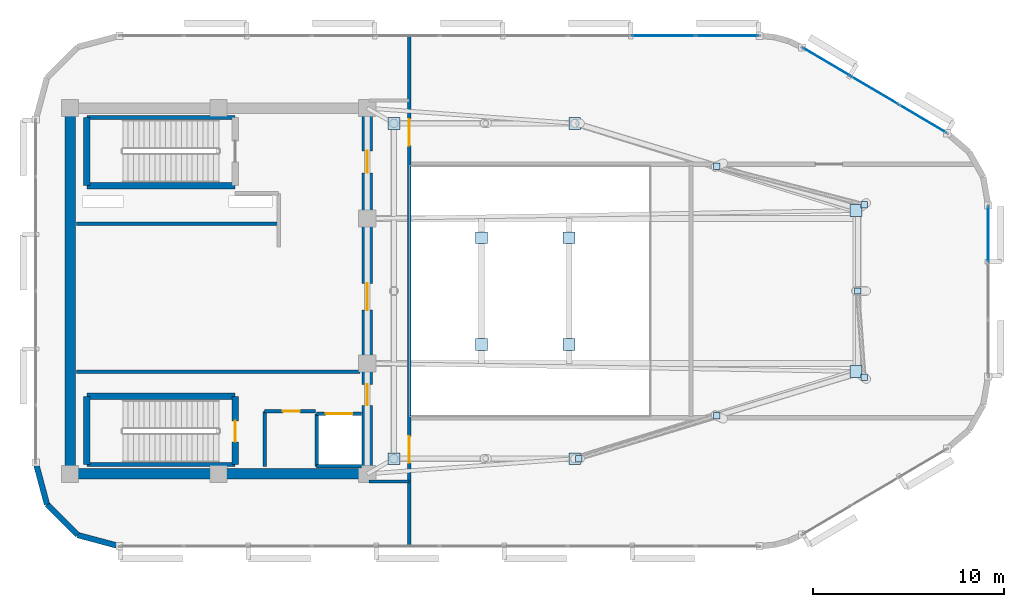
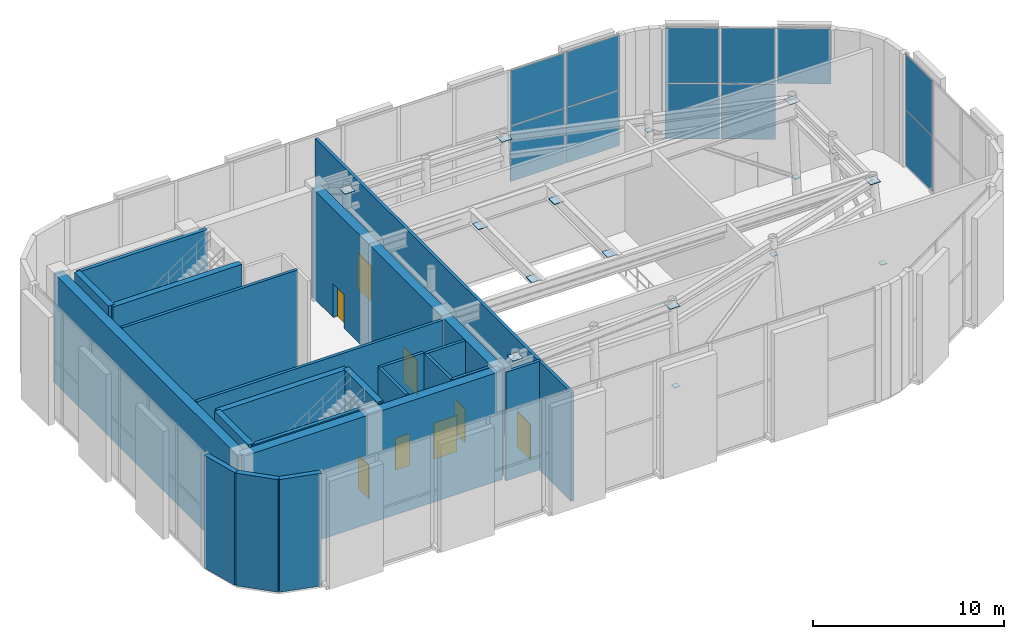
# One storey, part 17 of 20: 27 plates, 22 walls, 8 doors, 8 openings, 3 elements without a shape of their own.
"""IFC4 building model written with IfcOpenShell, lengths in metres."""

from ifc_helpers import new_model, si_unit, direction, frame, frame_2d, origin, origin_2d, place, context, subcontext, project, spatial, rectangle, extrude, material, layer, layer_set, type_object, element, fill, aggregate, save


model = new_model("IFC4")

# Units and contexts
model_context = context("Model", 3, precision=1e-05, world=origin(), true_north=direction((0.0, 1.0)))
body_context = subcontext(model_context, "Body", "Model", "MODEL_VIEW")
ifc_project = project(units=[si_unit("LENGTHUNIT", "METRE"), si_unit("AREAUNIT", "SQUARE_METRE"), si_unit("VOLUMEUNIT", "CUBIC_METRE"), si_unit("PLANEANGLEUNIT", "RADIAN"), si_unit("MASSUNIT", "GRAM", prefix="KILO")], contexts=[model_context])

# Site, building, storey
site_placement = place(None, origin())
site = spatial("IfcSite", under=ifc_project, at=site_placement, CompositionType="ELEMENT")
building_placement = place(site_placement, origin())
building = spatial("IfcBuilding", under=site, at=building_placement, Name="An Khanh Terracotta Commons", CompositionType="ELEMENT")
storey_placement = place(building_placement, frame((0.0, 0.0, 308.0)))
storey = spatial("IfcBuildingStorey", under=building, at=storey_placement, Name="L79 Crown Damper Gallery", CompositionType="ELEMENT", Elevation=308.0)

# Plates
ifc_material_1 = material(Name="Steel S460ML", Category="steel")
ifc_layer_1 = layer(ifc_material_1, 0.030029296875, Name="Steel S460ML")
ifc_layer_set_1 = layer_set([ifc_layer_1], Name="Steel S460ML")
plate_type_1 = type_object("IfcPlateType", Name="CROWN-CAP-PL", PredefinedType="USERDEFINED", material=ifc_layer_set_1)
for number, where, z_axis, x_axis, name in (
    (1, (48.30810546875, 15.199951171875, 1.4580078125), (0.0, 0.0, 1.0), (1.0, 0.0, 0.0), "L79 Crown Damper Gallery CROWN FRAME Brace End-Cap Plate 2A"),
    (2, (55.535888671875, 17.4580078125, 5.94677734375), (0.0, 0.0, 1.0), (1.0, 0.0, 0.0), "L79 Crown Damper Gallery CROWN FRAME Brace End-Cap Plate 2B"),
    (3, (63.279052734375, 19.468017578125, 1.4580078125), (0.0, 0.0, 1.0), (1.0, 0.0, 0.0), "L79 Crown Damper Gallery CROWN FRAME Brace End-Cap Plate 3A"),
    (4, (62.93798828125, 24.0, 5.94677734375), (0.0, 0.0, 1.0), (1.0, 0.0, 0.0), "L79 Crown Damper Gallery CROWN FRAME Brace End-Cap Plate 3B"),
    (5, (63.279052734375, 28.531982421875, 1.4580078125), (0.0, 0.0, 1.0), (1.0, 0.0, 0.0), "L79 Crown Damper Gallery CROWN FRAME Brace End-Cap Plate 4A"),
    (6, (55.535888671875, 30.5419921875, 5.94677734375), (0.0, 0.0, 1.0), (1.0, 0.0, 0.0), "L79 Crown Damper Gallery CROWN FRAME Brace End-Cap Plate 4B"),
):
    element("IfcPlate", number, at=place(storey_placement, frame(where, z_axis=z_axis, x_axis=x_axis)), inside=storey, type_object=plate_type_1, Name=name, ObjectType="FLANGE_PLATE", PredefinedType="USERDEFINED", context=body_context, shape_type="SweptSolid", body=[
        extrude(rectangle(XDim=0.340087890625, YDim=0.340087890625, at=origin_2d()), origin(), (0.0, 0.0, 1.0), 0.030029296875),
    ])

# Curtain wall, plates
ifc_material_2 = material(Name="Anodised Aluminium 6063-T6", Category="aluminium")
ifc_layer_2 = layer(ifc_material_2, 0.25, Name="Anodised Aluminium 6063-T6")
ifc_layer_set_2 = layer_set([ifc_layer_2], Name="Anodised Aluminium 6063-T6")
curtain_wall_type = type_object("IfcCurtainWallType", Name="CW-SYS-05", PredefinedType="USERDEFINED", material=ifc_layer_set_2)
curtain_wall_1_placement = place(storey_placement, origin())
curtain_wall_1 = element("IfcCurtainWall", 7, at=curtain_wall_1_placement, inside=storey, type_object=curtain_wall_type, Name="L79 Crown Damper Gallery CW-05 Unitised Curtain Wall CW-L79-12", ObjectType="UNITISED CURTAIN WALL", PredefinedType="USERDEFINED")
ifc_material_3 = material(Name="Translucent Backlit Opal Insulated Glass", Category="glass")
ifc_layer_3 = layer(ifc_material_3, 0.0439453125, Name="Translucent Backlit Opal Insulated Glass")
ifc_layer_set_3 = layer_set([ifc_layer_3], Name="Translucent Backlit Opal Insulated Glass")
plate_type_2 = type_object("IfcPlateType", Name="CWP-OPAL-44", PredefinedType="CURTAIN_PANEL", material=ifc_layer_set_3)
plate_1_placement = place(storey_placement, frame((69.800048828125, 26.975341796875, 0.06005859375), z_axis=(0.0, 0.0, 1.0), x_axis=(0.0, 1.0, 0.0)))
plate_1 = element("IfcPlate", 8, at=plate_1_placement, type_object=plate_type_2, Name="CW-05 panel 3.1", PredefinedType="CURTAIN_PANEL", context=body_context, shape_type="SweptSolid", body=[
    extrude(rectangle(XDim=2.875244140625, YDim=0.0439453125, at=origin_2d()), origin(), (0.0, 0.0, 1.0), 3.510009765625),
])
plate_2_placement = place(storey_placement, frame((69.800048828125, 26.975341796875, 3.6298828125), z_axis=(0.0, 0.0, 1.0), x_axis=(0.0, 1.0, 0.0)))
plate_2 = element("IfcPlate", 9, at=plate_2_placement, type_object=plate_type_2, Name="CW-05 panel 3.2", PredefinedType="CURTAIN_PANEL", context=body_context, shape_type="SweptSolid", body=[
    extrude(rectangle(XDim=2.875244140625, YDim=0.0439453125, at=origin_2d()), origin(), (0.0, 0.0, 1.0), 3.510009765625),
])
aggregate(curtain_wall_1, [plate_1, plate_2])

curtain_wall_2_placement = place(storey_placement, origin())
curtain_wall_2 = element("IfcCurtainWall", 10, at=curtain_wall_2_placement, inside=storey, type_object=curtain_wall_type, Name="L79 Crown Damper Gallery CW-05 Unitised Curtain Wall CW-L79-16", ObjectType="UNITISED CURTAIN WALL", PredefinedType="USERDEFINED")
plate_3_placement = place(storey_placement, frame((66.358154296875, 33.039306640625, 3.6298828125), z_axis=(0.0, 0.0, 1.0), x_axis=(-0.860304394443, 0.509780687063, 0.0)))
plate_3 = element("IfcPlate", 11, at=plate_3_placement, type_object=plate_type_2, Name="CW-05 panel 1.2", PredefinedType="CURTAIN_PANEL", context=body_context, shape_type="SweptSolid", body=[
    extrude(rectangle(XDim=2.826904296875, YDim=0.0439453125, at=origin_2d()), origin(), (0.0, 0.0, 1.0), 3.510009765625),
])
plate_4_placement = place(storey_placement, frame((63.840087890625, 34.531494140625, 0.06005859375), z_axis=(0.0, 0.0, 1.0), x_axis=(-0.860304394443, 0.509780687063, 0.0)))
plate_4 = element("IfcPlate", 12, at=plate_4_placement, type_object=plate_type_2, Name="CW-05 panel 2.1", PredefinedType="CURTAIN_PANEL", context=body_context, shape_type="SweptSolid", body=[
    extrude(rectangle(XDim=2.866943359375, YDim=0.0439453125, at=origin_2d()), origin(), (0.0, 0.0, 1.0), 3.510009765625),
])
plate_5_placement = place(storey_placement, frame((63.840087890625, 34.531494140625, 3.6298828125), z_axis=(0.0, 0.0, 1.0), x_axis=(-0.860304394443, 0.509780687063, 0.0)))
plate_5 = element("IfcPlate", 13, at=plate_5_placement, type_object=plate_type_2, Name="CW-05 panel 2.2", PredefinedType="CURTAIN_PANEL", context=body_context, shape_type="SweptSolid", body=[
    extrude(rectangle(XDim=2.866943359375, YDim=0.0439453125, at=origin_2d()), origin(), (0.0, 0.0, 1.0), 3.510009765625),
])
plate_6_placement = place(storey_placement, frame((61.32177734375, 36.023681640625, 0.06005859375), z_axis=(0.0, 0.0, 1.0), x_axis=(-0.860304394443, 0.509780687063, 0.0)))
plate_6 = element("IfcPlate", 14, at=plate_6_placement, type_object=plate_type_2, Name="CW-05 panel 3.1", PredefinedType="CURTAIN_PANEL", context=body_context, shape_type="SweptSolid", body=[
    extrude(rectangle(XDim=2.826904296875, YDim=0.0439453125, at=origin_2d()), origin(), (0.0, 0.0, 1.0), 3.510009765625),
])
plate_7_placement = place(storey_placement, frame((61.32177734375, 36.023681640625, 3.6298828125), z_axis=(0.0, 0.0, 1.0), x_axis=(-0.860304394443, 0.509780687063, 0.0)))
plate_7 = element("IfcPlate", 15, at=plate_7_placement, type_object=plate_type_2, Name="CW-05 panel 3.2", PredefinedType="CURTAIN_PANEL", context=body_context, shape_type="SweptSolid", body=[
    extrude(rectangle(XDim=2.826904296875, YDim=0.0439453125, at=origin_2d()), origin(), (0.0, 0.0, 1.0), 3.510009765625),
])
aggregate(curtain_wall_2, [plate_3, plate_4, plate_5, plate_6, plate_7])

curtain_wall_3_placement = place(storey_placement, origin())
curtain_wall_3 = element("IfcCurtainWall", 16, at=curtain_wall_3_placement, inside=storey, type_object=curtain_wall_type, Name="L79 Crown Damper Gallery CW-05 Unitised Curtain Wall CW-L79-20", ObjectType="UNITISED CURTAIN WALL", PredefinedType="USERDEFINED")
plate_8_placement = place(storey_placement, frame((56.09423828125, 37.39990234375, 0.06005859375), z_axis=(0.0, 0.0, 1.0), x_axis=(-1.0, 0.0, 0.0)))
plate_8 = element("IfcPlate", 17, at=plate_8_placement, type_object=plate_type_2, Name="CW-05 panel 1.1", PredefinedType="CURTAIN_PANEL", context=body_context, shape_type="SweptSolid", body=[
    extrude(rectangle(XDim=3.239501953125, YDim=0.0439453125, at=origin_2d()), origin(), (0.0, 0.0, 1.0), 3.510009765625),
])
plate_9_placement = place(storey_placement, frame((56.09423828125, 37.39990234375, 3.6298828125), z_axis=(0.0, 0.0, 1.0), x_axis=(-1.0, 0.0, 0.0)))
plate_9 = element("IfcPlate", 18, at=plate_9_placement, type_object=plate_type_2, Name="CW-05 panel 1.2", PredefinedType="CURTAIN_PANEL", context=body_context, shape_type="SweptSolid", body=[
    extrude(rectangle(XDim=3.239501953125, YDim=0.0439453125, at=origin_2d()), origin(), (0.0, 0.0, 1.0), 3.510009765625),
])
plate_10_placement = place(storey_placement, frame((52.7548828125, 37.39990234375, 0.06005859375), z_axis=(0.0, 0.0, 1.0), x_axis=(-1.0, 0.0, 0.0)))
plate_10 = element("IfcPlate", 19, at=plate_10_placement, type_object=plate_type_2, Name="CW-05 panel 2.1", PredefinedType="CURTAIN_PANEL", context=body_context, shape_type="SweptSolid", body=[
    extrude(rectangle(XDim=3.279296875, YDim=0.0439453125, at=origin_2d()), origin(), (0.0, 0.0, 1.0), 3.510009765625),
])
plate_11_placement = place(storey_placement, frame((52.7548828125, 37.39990234375, 3.6298828125), z_axis=(0.0, 0.0, 1.0), x_axis=(-1.0, 0.0, 0.0)))
plate_11 = element("IfcPlate", 20, at=plate_11_placement, type_object=plate_type_2, Name="CW-05 panel 2.2", PredefinedType="CURTAIN_PANEL", context=body_context, shape_type="SweptSolid", body=[
    extrude(rectangle(XDim=3.279296875, YDim=0.0439453125, at=origin_2d()), origin(), (0.0, 0.0, 1.0), 3.510009765625),
])
aggregate(curtain_wall_3, [plate_8, plate_9, plate_10, plate_11])

# Plates
ifc_layer_4 = layer(ifc_material_1, 0.02490234375, Name="Steel S460ML")
ifc_layer_set_4 = layer_set([ifc_layer_4], Name="Steel S460ML")
plate_type_3 = type_object("IfcPlateType", Name="PLATE-GUSSET-25", PredefinedType="USERDEFINED", material=ifc_layer_set_4)
for number, where, z_axis, x_axis, name in (
    (21, (38.60009765625, 15.199951171875, 6.6875), (0.0, 0.0, 1.0), (1.0, 0.0, 0.0), "L79 Crown Damper Gallery CROWN FRAME Node End-Cap Plate 1"),
    (22, (48.090087890625, 15.199951171875, 6.6875), (0.0, 0.0, 1.0), (1.0, 0.0, 0.0), "L79 Crown Damper Gallery CROWN FRAME Node End-Cap Plate 2"),
    (23, (62.85009765625, 19.780029296875, 6.6875), (0.0, 0.0, 1.0), (1.0, 0.0, 0.0), "L79 Crown Damper Gallery CROWN FRAME Node End-Cap Plate 3"),
    (24, (62.85009765625, 28.219970703125, 6.6875), (0.0, 0.0, 1.0), (1.0, 0.0, 0.0), "L79 Crown Damper Gallery CROWN FRAME Node End-Cap Plate 4"),
    (25, (48.090087890625, 32.800048828125, 6.6875), (0.0, 0.0, 1.0), (1.0, 0.0, 0.0), "L79 Crown Damper Gallery CROWN FRAME Node End-Cap Plate 5"),
    (26, (38.60009765625, 32.800048828125, 6.6875), (0.0, 0.0, 1.0), (1.0, 0.0, 0.0), "L79 Crown Damper Gallery CROWN FRAME Node End-Cap Plate 6"),
):
    element("IfcPlate", number, at=place(storey_placement, frame(where, z_axis=z_axis, x_axis=x_axis)), inside=storey, type_object=plate_type_3, Name=name, ObjectType="FLANGE_PLATE", PredefinedType="USERDEFINED", context=body_context, shape_type="SweptSolid", body=[
        extrude(rectangle(XDim=0.6201171875, YDim=0.6201171875, at=origin_2d()), origin(), (0.0, 0.0, 1.0), 0.02490234375),
    ])
ifc_layer_5 = layer(ifc_material_1, 0.0400390625, Name="Steel S460ML")
ifc_layer_set_5 = layer_set([ifc_layer_5], Name="Steel S460ML")
plate_type_4 = type_object("IfcPlateType", Name="PLATE-GUSSET-40", PredefinedType="USERDEFINED", material=ifc_layer_set_5)
for number, where, z_axis, x_axis, name in (
    (27, (43.199951171875, 21.199951171875, 6.445068359375), (0.0, 0.0, 1.0), (1.0, 0.0, 0.0), "Pendulum Tuned Mass Damper Hanger Top End-Cap Plate 1"),
    (28, (47.800048828125, 21.199951171875, 6.445068359375), (0.0, 0.0, 1.0), (1.0, 0.0, 0.0), "Pendulum Tuned Mass Damper Hanger Top End-Cap Plate 2"),
    (29, (47.800048828125, 26.800048828125, 6.445068359375), (0.0, 0.0, 1.0), (1.0, 0.0, 0.0), "Pendulum Tuned Mass Damper Hanger Top End-Cap Plate 3"),
    (30, (43.199951171875, 26.800048828125, 6.445068359375), (0.0, 0.0, 1.0), (1.0, 0.0, 0.0), "Pendulum Tuned Mass Damper Hanger Top End-Cap Plate 4"),
):
    element("IfcPlate", number, at=place(storey_placement, frame(where, z_axis=z_axis, x_axis=x_axis)), inside=storey, type_object=plate_type_4, Name=name, ObjectType="FLANGE_PLATE", PredefinedType="USERDEFINED", context=body_context, shape_type="SweptSolid", body=[
        extrude(rectangle(XDim=0.6201171875, YDim=0.6201171875, at=origin_2d()), origin(), (0.0, 0.0, 1.0), 0.0400390625),
    ])

# Walls
ifc_material_4 = material(Name="Concrete C50/60", Category="concrete")
ifc_layer_6 = layer(ifc_material_4, 0.550048828125, Name="Concrete C50/60")
ifc_layer_set_6 = layer_set([ifc_layer_6], Name="Concrete C50/60")
wall_type_1 = type_object("IfcWallType", Name="WALL-CORE-550", PredefinedType="SHEAR", material=ifc_layer_set_6)
wall_1_placement = place(storey_placement, frame((21.60009765625, 14.39990234375, 0.0), z_axis=(0.0, 0.0, 1.0), x_axis=(0.0, 1.0, 0.0)))
element("IfcWall", 31, at=wall_1_placement, inside=storey, type_object=wall_type_1, Name="L79 Crown Damper Gallery Core Wall CWALL-L79 Crown Damper Gallery-W", PredefinedType="SHEAR", context=body_context, shape_type="SweptSolid", body=[
    extrude(rectangle(XDim=19.2001953125, YDim=0.550048828125, at=frame_2d((9.60009765625, 0.0))), origin(), (0.0, 0.0, 1.0), 6.949951171875),
])
wall_2_placement = place(storey_placement, frame((37.199951171875, 14.39990234375, 0.0), z_axis=(0.0, 0.0, 1.0), x_axis=(-1.0, 0.0, 0.0)))
element("IfcWall", 32, at=wall_2_placement, inside=storey, type_object=wall_type_1, Name="L79 Crown Damper Gallery Core Wall CWALL-L79 Crown Damper Gallery-S", PredefinedType="SHEAR", context=body_context, shape_type="SweptSolid", body=[
    extrude(rectangle(XDim=15.599853515625, YDim=0.550048828125, at=frame_2d((7.7998046875, 0.0))), origin(), (0.0, 0.0, 1.0), 6.949951171875),
])

# Wall, openings, doors
wall_3_placement = place(storey_placement, frame((37.199951171875, 14.39990234375, 0.0), z_axis=(0.0, 0.0, 1.0), x_axis=(0.0, 1.0, 0.0)))
wall_3 = element("IfcWall", 33, at=wall_3_placement, inside=storey, type_object=wall_type_1, Name="L79 Crown Damper Gallery Core Wall CWALL-L79 Crown Damper Gallery-E", PredefinedType="SHEAR", context=body_context, shape_type="SweptSolid", body=[
    extrude(rectangle(XDim=19.2001953125, YDim=0.550048828125, at=frame_2d((9.60009765625, 0.0))), origin(), (0.0, 0.0, 1.0), 6.949951171875),
])
opening_1_placement = place(wall_3_placement, frame((15.800048828125, 0.0, 0.0)))
opening_1 = element("IfcOpeningElement", 34, at=opening_1_placement, cuts=wall_3, Name="Opening D-FFL", PredefinedType="OPENING", context=body_context, shape_type="SweptSolid", body=[
    extrude(rectangle(XDim=1.14990234375, YDim=2.14990234375, at=frame_2d((0.574951171875, 1.074951171875))), frame((0.0, 0.284912109375, 0.0), z_axis=(0.0, -1.0, 0.0), x_axis=(1.0, 0.0, 0.0)), (0.0, 0.0, 1.0), 0.570068359375),
])
opening_2_placement = place(wall_3_placement, frame((3.60009765625, 0.0, 0.0)))
opening_2 = element("IfcOpeningElement", 35, at=opening_2_placement, cuts=wall_3, Name="Opening D-ST", PredefinedType="OPENING", context=body_context, shape_type="SweptSolid", body=[
    extrude(rectangle(XDim=1.10009765625, YDim=2.14990234375, at=frame_2d((0.550048828125, 1.074951171875))), frame((0.0, 0.284912109375, 0.0), z_axis=(0.0, -1.0, 0.0), x_axis=(1.0, 0.0, 0.0)), (0.0, 0.0, 1.0), 0.570068359375),
])
opening_3_placement = place(wall_3_placement, frame((8.60009765625, 0.0, 0.0)))
opening_3 = element("IfcOpeningElement", 36, at=opening_3_placement, cuts=wall_3, Name="Opening D-PL", PredefinedType="OPENING", context=body_context, shape_type="SweptSolid", body=[
    extrude(rectangle(XDim=1.39990234375, YDim=2.25, at=frame_2d((0.699951171875, 1.125))), frame((0.0, 0.284912109375, 0.0), z_axis=(0.0, -1.0, 0.0), x_axis=(1.0, 0.0, 0.0)), (0.0, 0.0, 1.0), 0.570068359375),
])
ifc_material_5 = material(Name="Fire-Rated Steel Leaf and Vision Panel", Category="steel")
door_type_1 = type_object("IfcDoorType", Name="DOOR-FFL-1150", OperationType="NOTDEFINED", PredefinedType="DOOR", material=ifc_material_5)
door_1_placement = place(opening_1_placement, origin())
door_1 = element("IfcDoor", 37, at=door_1_placement, inside=storey, type_object=door_type_1, Name="L79 Crown Damper Gallery Firefighting Lift Lobby Fire Door", OperationType="SINGLE_SWING_RIGHT", OverallHeight=2.14990234375, OverallWidth=1.14990234375, PredefinedType="DOOR", context=body_context, shape_type="SweptSolid", body=[
    extrude(rectangle(XDim=1.14990234375, YDim=2.14990234375, at=frame_2d((0.574951171875, 1.074951171875))), frame((0.0, 0.02490234375, 0.0), z_axis=(0.0, -1.0, 0.0), x_axis=(1.0, 0.0, 0.0)), (0.0, 0.0, 1.0), 0.050048828125),
])
fill(opening_1, door_1)
ifc_material_6 = material(Name="Heavy-Duty Acoustic Steel Double Plant Door", Category="steel")
door_type_2 = type_object("IfcDoorType", Name="DOOR-PLANT-1400", OperationType="NOTDEFINED", PredefinedType="DOOR", material=ifc_material_6)
door_2_placement = place(opening_3_placement, origin())
door_2 = element("IfcDoor", 38, at=door_2_placement, inside=storey, type_object=door_type_2, Name="L79 Crown Damper Gallery Crown Core Lobby Door", OperationType="DOUBLE_DOOR_SINGLE_SWING", OverallHeight=2.25, OverallWidth=1.39990234375, PredefinedType="DOOR", context=body_context, shape_type="SweptSolid", body=[
    extrude(rectangle(XDim=1.39990234375, YDim=2.25, at=frame_2d((0.699951171875, 1.125))), frame((0.0, 0.02490234375, 0.0), z_axis=(0.0, -1.0, 0.0), x_axis=(1.0, 0.0, 0.0)), (0.0, 0.0, 1.0), 0.050048828125),
])
fill(opening_3, door_2)
ifc_material_7 = material(Name="Fire-Rated Steel Leaf and Frame", Category="steel")
door_type_3 = type_object("IfcDoorType", Name="DOOR-STAIR-1100", OperationType="NOTDEFINED", PredefinedType="DOOR", material=ifc_material_7)
door_3_placement = place(opening_2_placement, origin())
door_3 = element("IfcDoor", 39, at=door_3_placement, inside=storey, type_object=door_type_3, Name="L79 Crown Damper Gallery South Stair Lobby Fire Door", OperationType="SINGLE_SWING_LEFT", OverallHeight=2.14990234375, OverallWidth=1.10009765625, PredefinedType="DOOR", context=body_context, shape_type="SweptSolid", body=[
    extrude(rectangle(XDim=1.10009765625, YDim=2.14990234375, at=frame_2d((0.550048828125, 1.074951171875))), frame((0.0, 0.02490234375, 0.0), z_axis=(0.0, -1.0, 0.0), x_axis=(1.0, 0.0, 0.0)), (0.0, 0.0, 1.0), 0.050048828125),
])
fill(opening_2, door_3)

# Walls
ifc_material_8 = material(Name="Fire-Rated Gypsum Board on Steel Stud", Category="steel")
ifc_layer_7 = layer(ifc_material_8, 0.179931640625, Name="Fire-Rated Gypsum Board on Steel Stud")
ifc_layer_set_7 = layer_set([ifc_layer_7], Name="Fire-Rated Gypsum Board on Steel Stud")
wall_type_2 = type_object("IfcWallType", Name="WALL-CORR-180", PredefinedType="PARTITIONING", material=ifc_layer_set_7)
wall_4_placement = place(storey_placement, frame((21.949951171875, 27.5400390625, 0.0), z_axis=(0.0, 0.0, 1.0), x_axis=(1.0, 0.0, 0.0)))
element("IfcWall", 40, at=wall_4_placement, inside=storey, type_object=wall_type_2, Name="L79 Crown Damper Gallery Core Wall RSRW-L79 Crown Damper Gallery-S", PredefinedType="PARTITIONING", context=body_context, shape_type="SweptSolid", body=[
    extrude(rectangle(XDim=10.60009765625, YDim=0.179931640625, at=frame_2d((5.300048828125, 0.0))), origin(), (0.0, 0.0, 1.0), 6.949951171875),
])
wall_5_placement = place(storey_placement, frame((21.949951171875, 19.760009765625, 0.0), z_axis=(0.0, 0.0, 1.0), x_axis=(1.0, 0.0, 0.0)))
element("IfcWall", 41, at=wall_5_placement, inside=storey, type_object=wall_type_2, Name="L79 Crown Damper Gallery Core Wall SVW-L79 Crown Damper Gallery-N", PredefinedType="PARTITIONING", context=body_context, shape_type="SweptSolid", body=[
    extrude(rectangle(XDim=14.8701171875, YDim=0.179931640625, at=frame_2d((7.43505859375, 0.0))), origin(), (0.0, 0.0, 1.0), 6.949951171875),
])

# Wall, opening, door
wall_6_placement = place(storey_placement, frame((31.820068359375, 17.679931640625, 0.0), z_axis=(0.0, 0.0, 1.0), x_axis=(1.0, 0.0, 0.0)))
wall_6 = element("IfcWall", 42, at=wall_6_placement, inside=storey, type_object=wall_type_2, Name="L79 Crown Damper Gallery Core Wall SSVCW-L79 Crown Damper Gallery-N", PredefinedType="PARTITIONING", context=body_context, shape_type="SweptSolid", body=[
    extrude(rectangle(XDim=2.659912109375, YDim=0.179931640625, at=frame_2d((1.330078125, 0.0))), origin(), (0.0, 0.0, 1.0), 6.949951171875),
])
opening_4_placement = place(wall_6_placement, frame((0.949951171875, 0.0, 0.0)))
opening_4 = element("IfcOpeningElement", 43, at=opening_4_placement, cuts=wall_6, Name="Opening D-SV", PredefinedType="OPENING", context=body_context, shape_type="SweptSolid", body=[
    extrude(rectangle(XDim=0.89990234375, YDim=2.050048828125, at=frame_2d((0.449951171875, 1.02490234375))), frame((0.0, 0.099853515625, 0.0), z_axis=(0.0, -1.0, 0.0), x_axis=(1.0, 0.0, 0.0)), (0.0, 0.0, 1.0), 0.199951171875),
])
ifc_material_9 = material(Name="Fire-Rated Powder-Coated Steel Door", Category="steel")
door_type_4 = type_object("IfcDoorType", Name="DOOR-SERV-900", OperationType="NOTDEFINED", PredefinedType="DOOR", material=ifc_material_9)
door_4_placement = place(opening_4_placement, origin())
door_4 = element("IfcDoor", 44, at=door_4_placement, inside=storey, type_object=door_type_4, Name="L79 Crown Damper Gallery Electrical Switch Cupboard Door", OperationType="SINGLE_SWING_RIGHT", OverallHeight=2.050048828125, OverallWidth=0.89990234375, PredefinedType="DOOR", context=body_context, shape_type="SweptSolid", body=[
    extrude(rectangle(XDim=0.89990234375, YDim=2.050048828125, at=frame_2d((0.449951171875, 1.02490234375))), frame((0.0, 0.02490234375, 0.0), z_axis=(0.0, -1.0, 0.0), x_axis=(1.0, 0.0, 0.0)), (0.0, 0.0, 1.0), 0.050048828125),
])
fill(opening_4, door_4)

# Wall
wall_7_placement = place(storey_placement, frame((31.820068359375, 14.800048828125, 0.0), z_axis=(0.0, 0.0, 1.0), x_axis=(0.0, 1.0, 0.0)))
element("IfcWall", 45, at=wall_7_placement, inside=storey, type_object=wall_type_2, Name="L79 Crown Damper Gallery Core Wall SSVCW-L79 Crown Damper Gallery-W", PredefinedType="PARTITIONING", context=body_context, shape_type="SweptSolid", body=[
    extrude(rectangle(XDim=2.8798828125, YDim=0.179931640625, at=frame_2d((1.43994140625, 0.0))), origin(), (0.0, 0.0, 1.0), 6.949951171875),
])

# Wall, opening, door
wall_8_placement = place(storey_placement, frame((34.550048828125, 17.550048828125, 0.0), z_axis=(0.0, 0.0, 1.0), x_axis=(1.0, 0.0, 0.0)))
wall_8 = element("IfcWall", 46, at=wall_8_placement, inside=storey, type_object=wall_type_2, Name="L79 Crown Damper Gallery Core Wall LSH-L79 Crown Damper Gallery-SVL-01-N", PredefinedType="PARTITIONING", context=body_context, shape_type="SweptSolid", body=[
    extrude(rectangle(XDim=2.349853515625, YDim=0.179931640625, at=frame_2d((1.1748046875, 0.0))), origin(), (0.0, 0.0, 1.0), 6.949951171875),
])
opening_5_placement = place(wall_8_placement, frame((0.47509765625, 0.0, 0.0)))
opening_5 = element("IfcOpeningElement", 47, at=opening_5_placement, cuts=wall_8, Name="Opening LD-SVL-01-L79 Crown Damper Gallery", PredefinedType="OPENING", context=body_context, shape_type="SweptSolid", body=[
    extrude(rectangle(XDim=1.39990234375, YDim=2.300048828125, at=frame_2d((0.699951171875, 1.14990234375))), frame((0.0, 0.099853515625, 0.0), z_axis=(0.0, -1.0, 0.0), x_axis=(1.0, 0.0, 0.0)), (0.0, 0.0, 1.0), 0.199951171875),
])
ifc_material_10 = material(Name="Heavy-Duty Stainless Steel Goods Landing Door", Category="steel")
door_type_5 = type_object("IfcDoorType", Name="DOOR-LD-SVL-1400", OperationType="NOTDEFINED", PredefinedType="DOOR", material=ifc_material_10)
door_5_placement = place(opening_5_placement, origin())
door_5 = element("IfcDoor", 48, at=door_5_placement, inside=storey, type_object=door_type_5, Name="L79 Crown Damper Gallery Lift SVL-01 Sliding Landing Door", OperationType="DOUBLE_DOOR_SLIDING", OverallHeight=2.300048828125, OverallWidth=1.39990234375, PredefinedType="DOOR", context=body_context, shape_type="SweptSolid", body=[
    extrude(rectangle(XDim=1.39990234375, YDim=2.300048828125, at=frame_2d((0.699951171875, 1.14990234375))), frame((0.0, 0.02490234375, 0.0), z_axis=(0.0, -1.0, 0.0), x_axis=(1.0, 0.0, 0.0)), (0.0, 0.0, 1.0), 0.050048828125),
])
fill(opening_5, door_5)

# Walls
wall_9_placement = place(storey_placement, frame((36.89990234375, 14.800048828125, 0.0), z_axis=(0.0, 0.0, 1.0), x_axis=(-1.0, 0.0, 0.0)))
element("IfcWall", 49, at=wall_9_placement, inside=storey, type_object=wall_type_2, Name="L79 Crown Damper Gallery Core Wall LSH-L79 Crown Damper Gallery-SVL-01-S", PredefinedType="PARTITIONING", context=body_context, shape_type="SweptSolid", body=[
    extrude(rectangle(XDim=2.349853515625, YDim=0.179931640625, at=frame_2d((1.1748046875, 0.0))), origin(), (0.0, 0.0, 1.0), 6.949951171875),
])
wall_10_placement = place(storey_placement, frame((34.550048828125, 17.550048828125, 0.0), z_axis=(0.0, 0.0, 1.0), x_axis=(0.0, -1.0, 0.0)))
element("IfcWall", 50, at=wall_10_placement, inside=storey, type_object=wall_type_2, Name="L79 Crown Damper Gallery Core Wall LSH-L79 Crown Damper Gallery-SVL-01-W", PredefinedType="PARTITIONING", context=body_context, shape_type="SweptSolid", body=[
    extrude(rectangle(XDim=2.75, YDim=0.179931640625, at=frame_2d((1.375, 0.0))), origin(), (0.0, 0.0, 1.0), 6.949951171875),
])
wall_11_placement = place(storey_placement, frame((37.300048828125, 14.0, 0.0), z_axis=(0.0, 0.0, 1.0), x_axis=(1.0, 0.0, 0.0)))
element("IfcWall", 51, at=wall_11_placement, inside=storey, type_object=wall_type_2, Name="L79 Crown Damper Gallery Interior Partition IW-L79 Crown Damper Gallery-E001", PredefinedType="PARTITIONING", context=body_context, shape_type="SweptSolid", body=[
    extrude(rectangle(XDim=2.099853515625, YDim=0.179931640625, at=frame_2d((1.0498046875, 0.0))), origin(), (0.0, 0.0, 1.0), 6.949951171875),
])

# Wall, openings, doors
wall_12_placement = place(storey_placement, frame((39.39990234375, 10.60009765625, 0.0), z_axis=(0.0, 0.0, 1.0), x_axis=(0.0, 1.0, 0.0)))
wall_12 = element("IfcWall", 52, at=wall_12_placement, inside=storey, type_object=wall_type_2, Name="L79 Crown Damper Gallery Interior Partition IW-L79 Crown Damper Gallery-E005", PredefinedType="PARTITIONING", context=body_context, shape_type="SweptSolid", body=[
    extrude(rectangle(XDim=26.7998046875, YDim=0.179931640625, at=frame_2d((13.39990234375, 0.0))), origin(), (0.0, 0.0, 1.0), 6.949951171875),
])
opening_6_placement = place(wall_12_placement, frame((21.02490234375, 0.0, 0.0)))
opening_6 = element("IfcOpeningElement", 53, at=opening_6_placement, cuts=wall_12, Name="Opening D-PL", PredefinedType="OPENING", context=body_context, shape_type="SweptSolid", body=[
    extrude(rectangle(XDim=1.39990234375, YDim=2.25, at=frame_2d((0.699951171875, 1.125))), frame((0.0, 0.099853515625, 0.0), z_axis=(0.0, -1.0, 0.0), x_axis=(1.0, 0.0, 0.0)), (0.0, 0.0, 1.0), 0.199951171875),
])
opening_7_placement = place(wall_12_placement, frame((4.375, 0.0, 0.0)))
opening_7 = element("IfcOpeningElement", 54, at=opening_7_placement, cuts=wall_12, Name="Opening D-PL", PredefinedType="OPENING", context=body_context, shape_type="SweptSolid", body=[
    extrude(rectangle(XDim=1.39990234375, YDim=2.25, at=frame_2d((0.699951171875, 1.125))), frame((0.0, 0.099853515625, 0.0), z_axis=(0.0, -1.0, 0.0), x_axis=(1.0, 0.0, 0.0)), (0.0, 0.0, 1.0), 0.199951171875),
])
door_6_placement = place(opening_6_placement, origin())
door_6 = element("IfcDoor", 55, at=door_6_placement, inside=storey, type_object=door_type_2, Name="L79 Crown Damper Gallery GALN Supply Ventilation Fan Plant Room Door", OperationType="DOUBLE_DOOR_SINGLE_SWING", OverallHeight=2.25, OverallWidth=1.39990234375, PredefinedType="DOOR", context=body_context, shape_type="SweptSolid", body=[
    extrude(rectangle(XDim=1.39990234375, YDim=2.25, at=frame_2d((0.699951171875, 1.125))), frame((0.0, 0.02490234375, 0.0), z_axis=(0.0, -1.0, 0.0), x_axis=(1.0, 0.0, 0.0)), (0.0, 0.0, 1.0), 0.050048828125),
])
fill(opening_6, door_6)
door_7_placement = place(opening_7_placement, origin())
door_7 = element("IfcDoor", 56, at=door_7_placement, inside=storey, type_object=door_type_2, Name="L79 Crown Damper Gallery GALS Damper Gallery Control Plant Room Door", OperationType="DOUBLE_DOOR_SINGLE_SWING", OverallHeight=2.25, OverallWidth=1.39990234375, PredefinedType="DOOR", context=body_context, shape_type="SweptSolid", body=[
    extrude(rectangle(XDim=1.39990234375, YDim=2.25, at=frame_2d((0.699951171875, 1.125))), frame((0.0, 0.02490234375, 0.0), z_axis=(0.0, -1.0, 0.0), x_axis=(1.0, 0.0, 0.0)), (0.0, 0.0, 1.0), 0.050048828125),
])
fill(opening_7, door_7)

# Walls
ifc_material_11 = material(Name="Precast concrete C40/50", Category="concrete")
ifc_layer_8 = layer(ifc_material_11, 0.300048828125, Name="Precast concrete C40/50")
ifc_layer_set_8 = layer_set([ifc_layer_8], Name="Precast concrete C40/50")
wall_type_3 = type_object("IfcWallType", Name="WALL-EXT-300", PredefinedType="SOLIDWALL", material=ifc_layer_set_8)
wall_13_placement = place(storey_placement, frame((19.800048828125, 15.0, 0.0), z_axis=(0.0, 0.0, 1.0), x_axis=(0.258569968543, -0.965992531735, 0.0)))
element("IfcWall", 57, at=wall_13_placement, inside=storey, type_object=wall_type_3, Name="L79 Crown Damper Gallery Crown Facet Corner Closure 1", PredefinedType="SOLIDWALL", context=body_context, shape_type="SweptSolid", body=[
    extrude(rectangle(XDim=2.27734375, YDim=0.300048828125, at=frame_2d((1.138671875, 0.0))), origin(), (0.0, 0.0, 1.0), 7.199951171875),
])
wall_14_placement = place(storey_placement, frame((20.388916015625, 12.800048828125, 0.0), z_axis=(0.0, 0.0, 1.0), x_axis=(0.707106781187, -0.707106781187, 0.0)))
element("IfcWall", 58, at=wall_14_placement, inside=storey, type_object=wall_type_3, Name="L79 Crown Damper Gallery Crown Facet Corner Closure 2", PredefinedType="SOLIDWALL", context=body_context, shape_type="SweptSolid", body=[
    extrude(rectangle(XDim=2.2783203125, YDim=0.300048828125, at=frame_2d((1.13916015625, 0.0))), origin(), (0.0, 0.0, 1.0), 7.199951171875),
])
wall_15_placement = place(storey_placement, frame((22.0, 11.18896484375, 0.0), z_axis=(0.0, 0.0, 1.0), x_axis=(0.965992531735, -0.258569968543, 0.0)))
element("IfcWall", 59, at=wall_15_placement, inside=storey, type_object=wall_type_3, Name="L79 Crown Damper Gallery Crown Facet Corner Closure 3", PredefinedType="SOLIDWALL", context=body_context, shape_type="SweptSolid", body=[
    extrude(rectangle(XDim=2.27734375, YDim=0.300048828125, at=frame_2d((1.138671875, 0.0))), origin(), (0.0, 0.0, 1.0), 7.199951171875),
])
ifc_material_12 = material(Name="Acoustic Double-Stud Gypsum and Mineral Wool")
ifc_layer_9 = layer(ifc_material_12, 0.219970703125, Name="Acoustic Double-Stud Gypsum and Mineral Wool")
ifc_layer_set_9 = layer_set([ifc_layer_9], Name="Acoustic Double-Stud Gypsum and Mineral Wool")
wall_type_4 = type_object("IfcWallType", Name="WALL-PARTY-220", PredefinedType="PARTITIONING", material=ifc_layer_set_9)
for number, where, z_axis, x_axis, name in (
    (60, (22.47998046875, 33.110107421875, 0.0), (0.0, 0.0, 1.0), (1.0, 0.0, 0.0), "L79 Crown Damper Gallery Core Wall STW-L79 Crown Damper Gallery-N-N"),
    (61, (22.47998046875, 14.889892578125, 0.0), (0.0, 0.0, 1.0), (1.0, 0.0, 0.0), "L79 Crown Damper Gallery Core Wall STW-L79 Crown Damper Gallery-S-S"),
):
    element("IfcWall", number, at=place(storey_placement, frame(where, z_axis=z_axis, x_axis=x_axis)), inside=storey, type_object=wall_type_4, Name=name, PredefinedType="PARTITIONING", context=body_context, shape_type="SweptSolid", body=[
        extrude(rectangle(XDim=7.7900390625, YDim=0.219970703125, at=frame_2d((3.89501953125, 0.0))), origin(), (0.0, 0.0, 1.0), 6.949951171875),
    ])
ifc_layer_10 = layer(ifc_material_4, 0.35009765625, Name="Concrete C50/60")
ifc_layer_set_10 = layer_set([ifc_layer_10], Name="Concrete C50/60")
wall_type_5 = type_object("IfcWallType", Name="WALL-SHAFT-350", PredefinedType="SOLIDWALL", material=ifc_layer_set_10)
wall_16_placement = place(storey_placement, frame((22.47998046875, 29.530029296875, 0.0), z_axis=(0.0, 0.0, 1.0), x_axis=(1.0, 0.0, 0.0)))
element("IfcWall", 62, at=wall_16_placement, inside=storey, type_object=wall_type_5, Name="L79 Crown Damper Gallery Core Wall STW-L79 Crown Damper Gallery-N-S", PredefinedType="SOLIDWALL", context=body_context, shape_type="SweptSolid", body=[
    extrude(rectangle(XDim=7.7900390625, YDim=0.35009765625, at=frame_2d((3.89501953125, 0.0))), origin(), (0.0, 0.0, 1.0), 6.949951171875),
])
wall_17_placement = place(storey_placement, frame((22.47998046875, 29.530029296875, 0.0), z_axis=(0.0, 0.0, 1.0), x_axis=(0.0, 1.0, 0.0)))
element("IfcWall", 63, at=wall_17_placement, inside=storey, type_object=wall_type_5, Name="L79 Crown Damper Gallery Core Wall STW-L79 Crown Damper Gallery-N-W", PredefinedType="SOLIDWALL", context=body_context, shape_type="SweptSolid", body=[
    extrude(rectangle(XDim=3.580078125, YDim=0.35009765625, at=frame_2d((1.7900390625, 0.0))), origin(), (0.0, 0.0, 1.0), 6.949951171875),
])
wall_18_placement = place(storey_placement, frame((22.47998046875, 18.469970703125, 0.0), z_axis=(0.0, 0.0, 1.0), x_axis=(1.0, 0.0, 0.0)))
element("IfcWall", 64, at=wall_18_placement, inside=storey, type_object=wall_type_5, Name="L79 Crown Damper Gallery Core Wall STW-L79 Crown Damper Gallery-S-N", PredefinedType="SOLIDWALL", context=body_context, shape_type="SweptSolid", body=[
    extrude(rectangle(XDim=7.7900390625, YDim=0.35009765625, at=frame_2d((3.89501953125, 0.0))), origin(), (0.0, 0.0, 1.0), 6.949951171875),
])
wall_19_placement = place(storey_placement, frame((22.47998046875, 14.889892578125, 0.0), z_axis=(0.0, 0.0, 1.0), x_axis=(0.0, 1.0, 0.0)))
element("IfcWall", 65, at=wall_19_placement, inside=storey, type_object=wall_type_5, Name="L79 Crown Damper Gallery Core Wall STW-L79 Crown Damper Gallery-S-W", PredefinedType="SOLIDWALL", context=body_context, shape_type="SweptSolid", body=[
    extrude(rectangle(XDim=3.580078125, YDim=0.35009765625, at=frame_2d((1.7900390625, 0.0))), origin(), (0.0, 0.0, 1.0), 6.949951171875),
])

# Wall, opening, door
wall_20_placement = place(storey_placement, frame((30.27001953125, 14.889892578125, 0.0), z_axis=(0.0, 0.0, 1.0), x_axis=(0.0, 1.0, 0.0)))
wall_20 = element("IfcWall", 66, at=wall_20_placement, inside=storey, type_object=wall_type_5, Name="L79 Crown Damper Gallery Core Wall STW-L79 Crown Damper Gallery-S-E", PredefinedType="SOLIDWALL", context=body_context, shape_type="SweptSolid", body=[
    extrude(rectangle(XDim=3.580078125, YDim=0.35009765625, at=frame_2d((1.7900390625, 0.0))), origin(), (0.0, 0.0, 1.0), 6.949951171875),
])
opening_8_placement = place(wall_20_placement, frame((1.18994140625, 0.0, 0.0)))
opening_8 = element("IfcOpeningElement", 67, at=opening_8_placement, cuts=wall_20, Name="Opening D-ST", PredefinedType="OPENING", context=body_context, shape_type="SweptSolid", body=[
    extrude(rectangle(XDim=1.10009765625, YDim=2.14990234375, at=frame_2d((0.550048828125, 1.074951171875))), frame((0.0, 0.18505859375, 0.0), z_axis=(0.0, -1.0, 0.0), x_axis=(1.0, 0.0, 0.0)), (0.0, 0.0, 1.0), 0.3701171875),
])
door_8_placement = place(opening_8_placement, origin())
door_8 = element("IfcDoor", 68, at=door_8_placement, inside=storey, type_object=door_type_3, Name="L79 Crown Damper Gallery Stair ST-02 Fire Door", OperationType="SINGLE_SWING_LEFT", OverallHeight=2.14990234375, OverallWidth=1.10009765625, PredefinedType="DOOR", context=body_context, shape_type="SweptSolid", body=[
    extrude(rectangle(XDim=1.10009765625, YDim=2.14990234375, at=frame_2d((0.550048828125, 1.074951171875))), frame((0.0, 0.02490234375, 0.0), z_axis=(0.0, -1.0, 0.0), x_axis=(1.0, 0.0, 0.0)), (0.0, 0.0, 1.0), 0.050048828125),
])
fill(opening_8, door_8)

save(model, "model.ifc")
